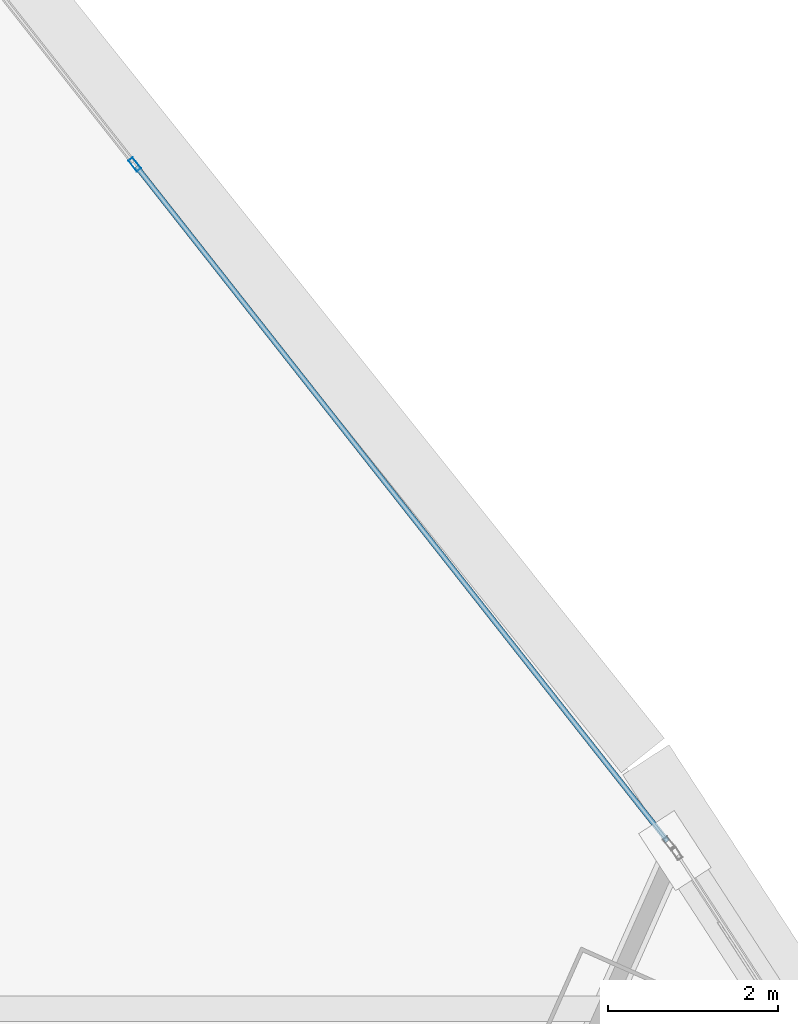
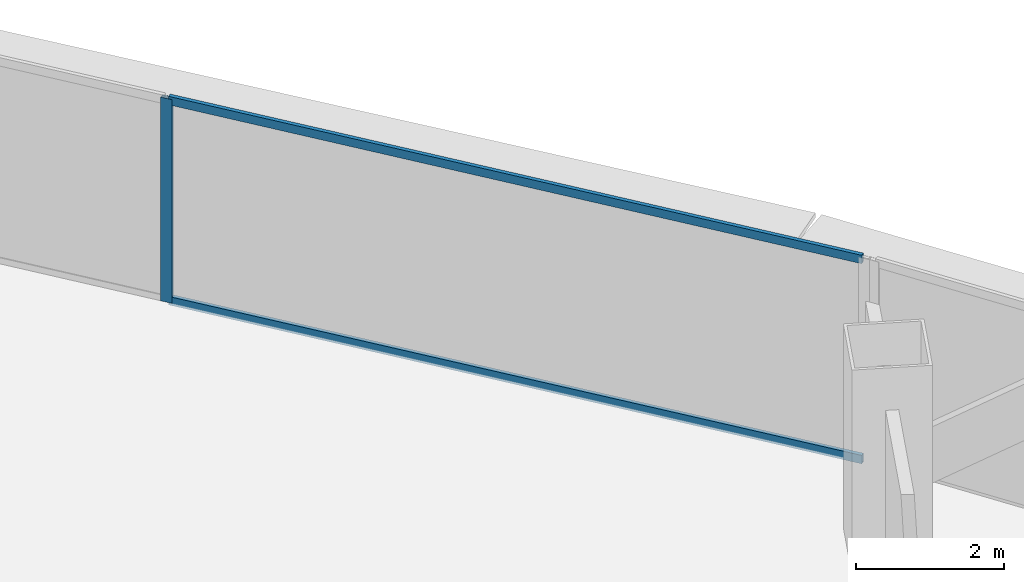
# One storey, part 26 of 38: 3 members, 1 element without a shape of its own.
"""IFC4 building model written with IfcOpenShell, lengths in metres."""

from ifc_helpers import new_model, si_unit, direction, frame, origin, origin_2d, place, context, subcontext, project, spatial, hollow_rectangle, extrude, source, transform, mapped, material, layer, layer_set, material_profile, profile_set, type_object, element, aggregate, save


model = new_model("IFC4")

# Units and contexts
model_context = context("Model", 3, precision=1e-05, world=origin(), true_north=direction((0.0, 1.0)))
body_context = subcontext(model_context, "Body", "Model", "MODEL_VIEW")
ifc_project = project(units=[si_unit("LENGTHUNIT", "METRE"), si_unit("AREAUNIT", "SQUARE_METRE"), si_unit("VOLUMEUNIT", "CUBIC_METRE"), si_unit("PLANEANGLEUNIT", "RADIAN"), si_unit("MASSUNIT", "GRAM", prefix="KILO"), si_unit("THERMODYNAMICTEMPERATUREUNIT", "KELVIN"), si_unit("POWERUNIT", "WATT")], contexts=[model_context])

# Site, building, storey
site_placement = place(None, origin())
site = spatial("IfcSite", under=ifc_project, at=site_placement, CompositionType="ELEMENT")
building_placement = place(site_placement, origin())
building = spatial("IfcBuilding", under=site, at=building_placement, Name="Yunzhuo Pagoda Commons", CompositionType="ELEMENT")
storey_placement = place(building_placement, frame((0.0, 0.0, 34.030029296875)))
storey = spatial("IfcBuildingStorey", under=building, at=storey_placement, Name="L08", CompositionType="ELEMENT", Elevation=34.030029296875)

# Curtain wall, members
ifc_material = material(Name="Anodized aluminium 6063-T6", Category="aluminium")
ifc_layer = layer(ifc_material, 0.1650390625)
ifc_layer_set = layer_set([ifc_layer], Name="Anodized aluminium 6063-T6")
curtain_wall_type = type_object("IfcCurtainWallType", Name="CW-LOW Low-Zone Ribbon Curtain Wall", PredefinedType="NOTDEFINED", material=ifc_layer_set)
curtain_wall_placement = place(storey_placement, origin())
curtain_wall = element("IfcCurtainWall", 1, at=curtain_wall_placement, inside=storey, type_object=curtain_wall_type, Name="L08 curtain wall CW-L08-F2B5", PredefinedType="NOTDEFINED")
ifc_material_profile_1 = material_profile(ifc_material, hollow_rectangle(XDim=0.06005859375, YDim=0.139892578125, WallThickness=0.00341796875, at=origin_2d()), Name="Anodized aluminium 6063-T6")
ifc_profile_set_1 = profile_set([ifc_material_profile_1], Name="Anodized aluminium 6063-T6")
member_type_1 = type_object("IfcMemberType", Name="CW-LOW-T Transom RHS 140x60x3.5", PredefinedType="USERDEFINED", material=ifc_profile_set_1)
shared_shape_1 = source(origin(), body_context, "Body", "SweptSolid", [
    extrude(hollow_rectangle(XDim=0.06005859375, YDim=0.139892578125, WallThickness=0.00341796875, at=origin_2d()), origin(), (0.0, 0.0, 1.0), 10.116455078125),
])
member_1_placement = place(storey_placement, frame((65.352783203125, 72.9794921875, 0.030029296875), z_axis=(-0.618483204392, 0.785798018504, 0.0), x_axis=(-0.785798018504, -0.618483204392, 0.0)))
member_1 = element("IfcMember", 2, at=member_1_placement, type_object=member_type_1, Name="CW transom 1.1", ObjectType="TRANSOM", PredefinedType="USERDEFINED", context=body_context, shape_type="MappedRepresentation", body=[
    mapped(shared_shape_1, transform((0.0, 0.0, 0.0), scale=1.0)),
])
member_2_placement = place(storey_placement, frame((65.352783203125, 72.9794921875, 3.340087890625), z_axis=(-0.618483204392, 0.785798018504, 0.0), x_axis=(-0.785798018504, -0.618483204392, 0.0)))
member_2 = element("IfcMember", 3, at=member_2_placement, type_object=member_type_1, Name="CW transom 1.2", ObjectType="TRANSOM", PredefinedType="USERDEFINED", context=body_context, shape_type="MappedRepresentation", body=[
    mapped(shared_shape_1, transform((0.0, 0.0, 0.0), scale=1.0)),
])
ifc_material_profile_2 = material_profile(ifc_material, hollow_rectangle(XDim=0.06494140625, YDim=0.1650390625, WallThickness=0.00390625, at=origin_2d()), Name="Anodized aluminium 6063-T6")
ifc_profile_set_2 = profile_set([ifc_material_profile_2], Name="Anodized aluminium 6063-T6")
member_type_2 = type_object("IfcMemberType", Name="CW-LOW-M Mullion RHS 165x65x4", PredefinedType="MULLION", material=ifc_profile_set_2)
shared_shape_2 = source(origin(), body_context, "Body", "SweptSolid", [
    extrude(hollow_rectangle(XDim=0.06494140625, YDim=0.1650390625, WallThickness=0.00390625, at=origin_2d()), origin(), (0.0, 0.0, 1.0), 3.369873046875),
])
member_3_placement = place(storey_placement, frame((59.07568359375, 80.95458984375, 0.0), z_axis=(0.0, 0.0, 1.0), x_axis=(-0.785799632369, -0.618481153932, 0.0)))
member_3 = element("IfcMember", 4, at=member_3_placement, type_object=member_type_2, Name="CW mullion 2", PredefinedType="MULLION", context=body_context, shape_type="MappedRepresentation", body=[
    mapped(shared_shape_2, transform((0.0, 0.0, 0.0), scale=1.0)),
])
aggregate(curtain_wall, [member_3, member_1, member_2])

save(model, "model.ifc")
